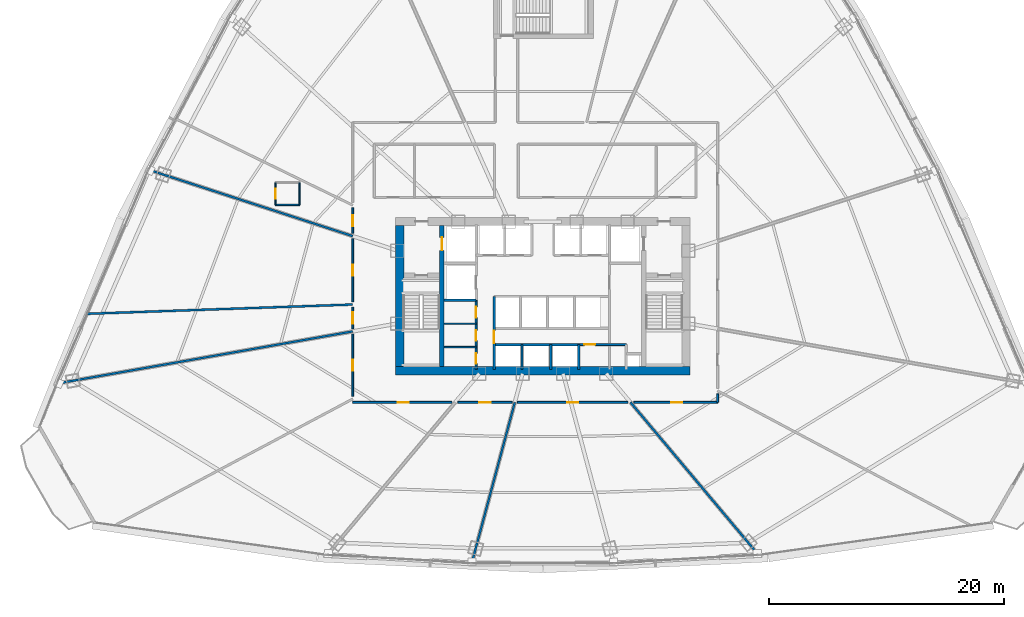
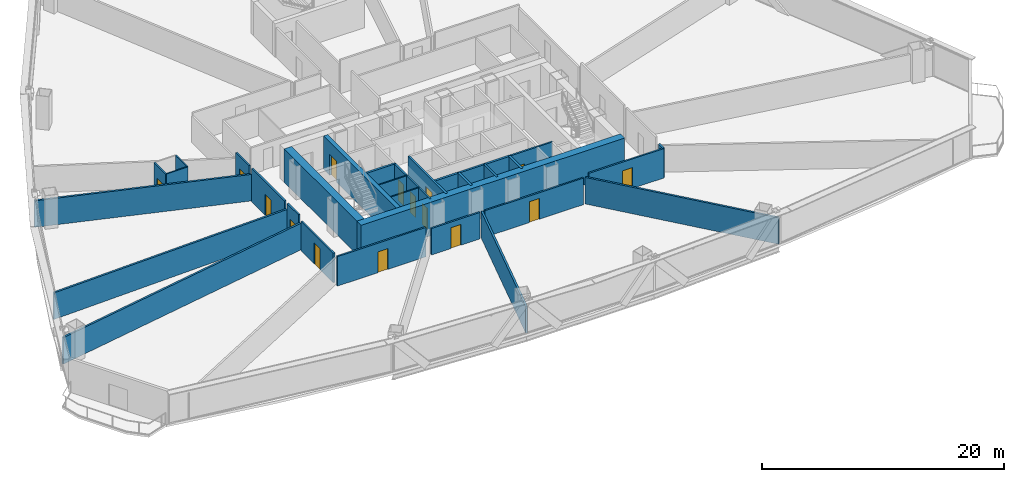
# One storey, part 29 of 37: 30 walls, 15 doors, 15 openings.
"""IFC4 building model written with IfcOpenShell, lengths in metres."""

from ifc_helpers import new_model, si_unit, direction, frame, frame_2d, origin, origin_with_axes, place, context, subcontext, project, spatial, rectangle, extrude, source, transform, mapped, material, layer, layer_set, type_object, element, fill, save


model = new_model("IFC4")

# Units and contexts
model_context = context("Model", 3, precision=1e-05, world=origin(), true_north=direction((0.0, 1.0)))
body_context = subcontext(model_context, "Body", "Model", "MODEL_VIEW")
ifc_project = project(units=[si_unit("LENGTHUNIT", "METRE"), si_unit("AREAUNIT", "SQUARE_METRE"), si_unit("VOLUMEUNIT", "CUBIC_METRE"), si_unit("PLANEANGLEUNIT", "RADIAN"), si_unit("MASSUNIT", "GRAM", prefix="KILO"), si_unit("THERMODYNAMICTEMPERATUREUNIT", "KELVIN"), si_unit("POWERUNIT", "WATT")], contexts=[model_context])

# Site, building, storey
site_placement = place(None, origin())
site = spatial("IfcSite", under=ifc_project, at=site_placement, CompositionType="ELEMENT")
building_placement = place(site_placement, origin())
building = spatial("IfcBuilding", under=site, at=building_placement, Name="Yunzhuo Pagoda Commons", CompositionType="ELEMENT")
storey_placement = place(building_placement, frame((0.0, 0.0, 59.43994140625)))
storey = spatial("IfcBuildingStorey", under=building, at=storey_placement, Name="L15", CompositionType="ELEMENT", Elevation=59.43994140625)

# Walls
ifc_material_1 = material(Name="Concrete C60", Category="concrete")
ifc_layer_1 = layer(ifc_material_1, 0.699951171875)
ifc_layer_set_1 = layer_set([ifc_layer_1], Name="Concrete C60")
wall_type_1 = type_object("IfcWallType", Name="W-C01 Lower Core Shear Wall 700", PredefinedType="SHEAR", material=ifc_layer_set_1)
wall_1_placement = place(storey_placement, frame((35.449951171875, 27.5, 0.0), z_axis=(0.0, 0.0, 1.0), x_axis=(1.0, 0.0, 0.0)))
element("IfcWall", 1, at=wall_1_placement, inside=storey, type_object=wall_type_1, Name="L15 core shear wall S", PredefinedType="SHEAR", context=body_context, shape_type="SweptSolid", body=[
    extrude(rectangle(XDim=25.10009765625, YDim=0.699951171875, at=frame_2d((12.550048828125, 0.0))), origin(), (0.0, 0.0, 1.0), 3.3701171875),
])
wall_2_placement = place(storey_placement, frame((35.800048828125, 27.85009765625, 0.0), z_axis=(0.0, 0.0, 1.0), x_axis=(0.0, 1.0, 0.0)))
element("IfcWall", 2, at=wall_2_placement, inside=storey, type_object=wall_type_1, Name="L15 core shear wall W", PredefinedType="SHEAR", context=body_context, shape_type="SweptSolid", body=[
    extrude(rectangle(XDim=12.0, YDim=0.699951171875, at=frame_2d((6.0, 0.0))), origin(), (0.0, 0.0, 1.0), 3.3701171875),
])

# Wall, openings, doors
ifc_material_2 = material(Name="Gypsum plasterboard on acoustic stud")
ifc_layer_2 = layer(ifc_material_2, 0.159912109375)
ifc_layer_set_2 = layer_set([ifc_layer_2], Name="Gypsum plasterboard on acoustic stud")
wall_type_2 = type_object("IfcWallType", Name="W-COR1 Tower Rated Corridor Wall 160", PredefinedType="PARTITIONING", material=ifc_layer_set_2)
wall_3_placement = place(storey_placement, frame((42.320068359375, 27.60009765625, 0.0), z_axis=(0.0, 0.0, 1.0), x_axis=(0.0, 1.0, 0.0)))
wall_3 = element("IfcWall", 3, at=wall_3_placement, inside=storey, type_object=wall_type_2, Name="L15 interior wall IW-L15-CSWE", PredefinedType="PARTITIONING", context=body_context, shape_type="SweptSolid", body=[
    extrude(rectangle(XDim=5.89990234375, YDim=0.159912109375, at=frame_2d((2.949951171875, 0.0))), origin(), (0.0, 0.0, 1.0), 3.3701171875),
])
opening_1_placement = place(wall_3_placement, frame((0.5, 0.0, 0.0)))
opening_1 = element("IfcOpeningElement", 4, at=opening_1_placement, cuts=wall_3, Name="Opening D-03", PredefinedType="OPENING", context=body_context, shape_type="SweptSolid", body=[
    extrude(rectangle(XDim=0.89990234375, YDim=2.10009765625, at=frame_2d((0.449951171875, 1.050048828125))), frame((0.0, 0.08984375, 0.0), z_axis=(0.0, -1.0, 0.0), x_axis=(1.0, 0.0, 0.0)), (0.0, 0.0, 1.0), 0.179931640625),
])
opening_2_placement = place(wall_3_placement, frame((2.449951171875, 0.0, 0.0)))
opening_2 = element("IfcOpeningElement", 5, at=opening_2_placement, cuts=wall_3, Name="Opening D-03", PredefinedType="OPENING", context=body_context, shape_type="SweptSolid", body=[
    extrude(rectangle(XDim=0.89990234375, YDim=2.10009765625, at=frame_2d((0.449951171875, 1.050048828125))), frame((0.0, 0.08984375, 0.0), z_axis=(0.0, -1.0, 0.0), x_axis=(1.0, 0.0, 0.0)), (0.0, 0.0, 1.0), 0.179931640625),
])
opening_3_placement = place(wall_3_placement, frame((4.419921875, 0.0, 0.0)))
opening_3 = element("IfcOpeningElement", 6, at=opening_3_placement, cuts=wall_3, Name="Opening D-11", PredefinedType="OPENING", context=body_context, shape_type="SweptSolid", body=[
    extrude(rectangle(XDim=0.93994140625, YDim=2.10009765625, at=frame_2d((0.469970703125, 1.050048828125))), frame((0.0, 0.08984375, 0.0), z_axis=(0.0, -1.0, 0.0), x_axis=(1.0, 0.0, 0.0)), (0.0, 0.0, 1.0), 0.179931640625),
])
ifc_material_3 = material(Name="Galvanized fire-resisting metal leaf")
door_type_1 = type_object("IfcDoorType", Name="D-03 Core Service Fire Door 900x2100", OperationType="NOTDEFINED", PredefinedType="DOOR", material=ifc_material_3)
shared_shape_1 = source(origin(), body_context, "Body", "SweptSolid", [
    extrude(rectangle(XDim=0.89990234375, YDim=2.10009765625, at=frame_2d((0.449951171875, 1.050048828125))), frame((0.0, 0.02490234375, 0.0), z_axis=(0.0, -1.0, 0.0), x_axis=(1.0, 0.0, 0.0)), (0.0, 0.0, 1.0), 0.050048828125),
])
door_1_placement = place(opening_1_placement, origin_with_axes())
door_1 = element("IfcDoor", 7, at=door_1_placement, inside=storey, type_object=door_type_1, Name="L15 switch door", OperationType="SINGLE_SWING_RIGHT", OverallHeight=2.10009765625, OverallWidth=0.89990234375, PredefinedType="DOOR", context=body_context, shape_type="MappedRepresentation", body=[
    mapped(shared_shape_1, transform((0.0, 0.0, 0.0), scale=1.0)),
])
fill(opening_1, door_1)
door_2_placement = place(opening_2_placement, origin_with_axes())
door_2 = element("IfcDoor", 8, at=door_2_placement, inside=storey, type_object=door_type_1, Name="L15 cleaner door", OperationType="SINGLE_SWING_RIGHT", OverallHeight=2.10009765625, OverallWidth=0.89990234375, PredefinedType="DOOR", context=body_context, shape_type="MappedRepresentation", body=[
    mapped(shared_shape_1, transform((0.0, 0.0, 0.0), scale=1.0)),
])
fill(opening_2, door_2)
door_type_2 = type_object("IfcDoorType", Name="D-11 Accessible Washroom Fire Door 940x2100", OperationType="NOTDEFINED", PredefinedType="DOOR", material=ifc_material_3)
shared_shape_2 = source(origin(), body_context, "Body", "SweptSolid", [
    extrude(rectangle(XDim=0.93994140625, YDim=2.10009765625, at=frame_2d((0.469970703125, 1.050048828125))), frame((0.0, 0.02490234375, 0.0), z_axis=(0.0, -1.0, 0.0), x_axis=(1.0, 0.0, 0.0)), (0.0, 0.0, 1.0), 0.050048828125),
])
door_3_placement = place(opening_3_placement, origin_with_axes())
door_3 = element("IfcDoor", 9, at=door_3_placement, inside=storey, type_object=door_type_2, Name="L15 core WC door", OperationType="SINGLE_SWING_LEFT", OverallHeight=2.10009765625, OverallWidth=0.93994140625, PredefinedType="DOOR", context=body_context, shape_type="MappedRepresentation", body=[
    mapped(shared_shape_2, transform((0.0, 0.0, 0.0), scale=1.0)),
])
fill(opening_3, door_3)

# Wall, opening, door
wall_4_placement = place(storey_placement, frame((51.050048828125, 29.719970703125, 0.0), z_axis=(0.0, 0.0, 1.0), x_axis=(1.0, 0.0, 0.0)))
wall_4 = element("IfcWall", 10, at=wall_4_placement, inside=storey, type_object=wall_type_2, Name="L15 interior wall IW-L15-CSES", PredefinedType="PARTITIONING", context=body_context, shape_type="SweptSolid", body=[
    extrude(rectangle(XDim=4.070068359375, YDim=0.159912109375, at=frame_2d((2.03515625, 0.0))), origin(), (0.0, 0.0, 1.0), 3.3701171875),
])
opening_4_placement = place(wall_4_placement, frame((0.5, 0.0, 0.0)))
opening_4 = element("IfcOpeningElement", 11, at=opening_4_placement, cuts=wall_4, Name="Opening D-03", PredefinedType="OPENING", context=body_context, shape_type="SweptSolid", body=[
    extrude(rectangle(XDim=0.89990234375, YDim=2.10009765625, at=frame_2d((0.449951171875, 1.050048828125))), frame((0.0, 0.08984375, 0.0), z_axis=(0.0, -1.0, 0.0), x_axis=(1.0, 0.0, 0.0)), (0.0, 0.0, 1.0), 0.179931640625),
])
door_4_placement = place(opening_4_placement, origin_with_axes())
door_4 = element("IfcDoor", 12, at=door_4_placement, inside=storey, type_object=door_type_1, Name="L15 core pantry door", OperationType="SINGLE_SWING_RIGHT", OverallHeight=2.10009765625, OverallWidth=0.89990234375, PredefinedType="DOOR", context=body_context, shape_type="MappedRepresentation", body=[
    mapped(shared_shape_1, transform((0.0, 0.0, 0.0), scale=1.0)),
])
fill(opening_4, door_4)

wall_5_placement = place(storey_placement, frame((31.800048828125, 25.306396484375, 0.0), z_axis=(0.0, 0.0, 1.0), x_axis=(0.0, 1.0, 0.0)))
wall_5 = element("IfcWall", 13, at=wall_5_placement, inside=storey, type_object=wall_type_2, Name="L15 interior wall IW-L15-CWL01", PredefinedType="PARTITIONING", context=body_context, shape_type="SweptSolid", body=[
    extrude(rectangle(XDim=5.313720703125, YDim=0.159912109375, at=frame_2d((2.65673828125, 0.0))), origin(), (0.0, 0.0, 1.0), 2.969970703125),
])
opening_5_placement = place(wall_5_placement, frame((2.18359375, 0.0, 0.0)))
opening_5 = element("IfcOpeningElement", 14, at=opening_5_placement, cuts=wall_5, Name="Opening D-06", PredefinedType="OPENING", context=body_context, shape_type="SweptSolid", body=[
    extrude(rectangle(XDim=0.949951171875, YDim=2.10009765625, at=frame_2d((0.47509765625, 1.050048828125))), frame((0.0, 0.08984375, 0.0), z_axis=(0.0, -1.0, 0.0), x_axis=(1.0, 0.0, 0.0)), (0.0, 0.0, 1.0), 0.179931640625),
])
door_type_3 = type_object("IfcDoorType", Name="D-06 Co-Living Suite Entrance Fire Door 950x2100", OperationType="NOTDEFINED", PredefinedType="DOOR", material=ifc_material_3)
shared_shape_3 = source(origin(), body_context, "Body", "SweptSolid", [
    extrude(rectangle(XDim=0.949951171875, YDim=2.10009765625, at=frame_2d((0.47509765625, 1.050048828125))), frame((0.0, 0.02490234375, 0.0), z_axis=(0.0, -1.0, 0.0), x_axis=(1.0, 0.0, 0.0)), (0.0, 0.0, 1.0), 0.050048828125),
])
door_5_placement = place(opening_5_placement, origin_with_axes())
door_5 = element("IfcDoor", 15, at=door_5_placement, inside=storey, type_object=door_type_3, Name="L15 unit 09 entrance door", OperationType="SINGLE_SWING_LEFT", OverallHeight=2.10009765625, OverallWidth=0.949951171875, PredefinedType="DOOR", context=body_context, shape_type="MappedRepresentation", body=[
    mapped(shared_shape_3, transform((0.0, 0.0, 0.0), scale=1.0)),
])
fill(opening_5, door_5)

wall_6_placement = place(storey_placement, frame((31.800048828125, 31.063232421875, 0.0), z_axis=(0.0, 0.0, 1.0), x_axis=(0.0, 1.0, 0.0)))
wall_6 = element("IfcWall", 16, at=wall_6_placement, inside=storey, type_object=wall_type_2, Name="L15 interior wall IW-L15-CWL02", PredefinedType="PARTITIONING", context=body_context, shape_type="SweptSolid", body=[
    extrude(rectangle(XDim=1.85107421875, YDim=0.159912109375, at=frame_2d((0.925537109375, 0.0))), origin(), (0.0, 0.0, 1.0), 3.3701171875),
])
opening_6_placement = place(wall_6_placement, frame((0.45068359375, 0.0, 0.0)))
opening_6 = element("IfcOpeningElement", 17, at=opening_6_placement, cuts=wall_6, Name="Opening D-06", PredefinedType="OPENING", context=body_context, shape_type="SweptSolid", body=[
    extrude(rectangle(XDim=0.949951171875, YDim=2.10009765625, at=frame_2d((0.47509765625, 1.050048828125))), frame((0.0, 0.08984375, 0.0), z_axis=(0.0, -1.0, 0.0), x_axis=(1.0, 0.0, 0.0)), (0.0, 0.0, 1.0), 0.179931640625),
])
door_6_placement = place(opening_6_placement, origin_with_axes())
door_6 = element("IfcDoor", 18, at=door_6_placement, inside=storey, type_object=door_type_3, Name="L15 unit 08 entrance door", OperationType="SINGLE_SWING_RIGHT", OverallHeight=2.10009765625, OverallWidth=0.949951171875, PredefinedType="DOOR", context=body_context, shape_type="MappedRepresentation", body=[
    mapped(shared_shape_3, transform((0.0, 0.0, 0.0), scale=1.0)),
])
fill(opening_6, door_6)

wall_7_placement = place(storey_placement, frame((31.800048828125, 33.35400390625, 0.0), z_axis=(0.0, 0.0, 1.0), x_axis=(0.0, 1.0, 0.0)))
wall_7 = element("IfcWall", 19, at=wall_7_placement, inside=storey, type_object=wall_type_2, Name="L15 interior wall IW-L15-CWL03", PredefinedType="PARTITIONING", context=body_context, shape_type="SweptSolid", body=[
    extrude(rectangle(XDim=5.389892578125, YDim=0.159912109375, at=frame_2d((2.69482421875, 0.0))), origin(), (0.0, 0.0, 1.0), 3.3701171875),
])
opening_7_placement = place(wall_7_placement, frame((2.219970703125, 0.0, 0.0)))
opening_7 = element("IfcOpeningElement", 20, at=opening_7_placement, cuts=wall_7, Name="Opening D-06", PredefinedType="OPENING", context=body_context, shape_type="SweptSolid", body=[
    extrude(rectangle(XDim=0.949951171875, YDim=2.10009765625, at=frame_2d((0.47509765625, 1.050048828125))), frame((0.0, 0.08984375, 0.0), z_axis=(0.0, -1.0, 0.0), x_axis=(1.0, 0.0, 0.0)), (0.0, 0.0, 1.0), 0.179931640625),
])
door_7_placement = place(opening_7_placement, origin_with_axes())
door_7 = element("IfcDoor", 21, at=door_7_placement, inside=storey, type_object=door_type_3, Name="L15 unit 07 entrance door", OperationType="SINGLE_SWING_LEFT", OverallHeight=2.10009765625, OverallWidth=0.949951171875, PredefinedType="DOOR", context=body_context, shape_type="MappedRepresentation", body=[
    mapped(shared_shape_3, transform((0.0, 0.0, 0.0), scale=1.0)),
])
fill(opening_7, door_7)

wall_8_placement = place(storey_placement, frame((31.800048828125, 39.195068359375, 0.0), z_axis=(0.0, 0.0, 1.0), x_axis=(0.0, 1.0, 0.0)))
wall_8 = element("IfcWall", 22, at=wall_8_placement, inside=storey, type_object=wall_type_2, Name="L15 interior wall IW-L15-CWL04", PredefinedType="PARTITIONING", context=body_context, shape_type="SweptSolid", body=[
    extrude(rectangle(XDim=2.1865234375, YDim=0.159912109375, at=frame_2d((1.09326171875, 0.0))), origin(), (0.0, 0.0, 1.0), 3.3701171875),
])
opening_8_placement = place(wall_8_placement, frame((0.612548828125, 0.0, 0.0)))
opening_8 = element("IfcOpeningElement", 23, at=opening_8_placement, cuts=wall_8, Name="Opening D-06", PredefinedType="OPENING", context=body_context, shape_type="SweptSolid", body=[
    extrude(rectangle(XDim=0.949951171875, YDim=2.10009765625, at=frame_2d((0.47509765625, 1.050048828125))), frame((0.0, 0.08984375, 0.0), z_axis=(0.0, -1.0, 0.0), x_axis=(1.0, 0.0, 0.0)), (0.0, 0.0, 1.0), 0.179931640625),
])
door_8_placement = place(opening_8_placement, origin_with_axes())
door_8 = element("IfcDoor", 24, at=door_8_placement, inside=storey, type_object=door_type_3, Name="L15 unit 06 entrance door", OperationType="SINGLE_SWING_RIGHT", OverallHeight=2.10009765625, OverallWidth=0.949951171875, PredefinedType="DOOR", context=body_context, shape_type="MappedRepresentation", body=[
    mapped(shared_shape_3, transform((0.0, 0.0, 0.0), scale=1.0)),
])
fill(opening_8, door_8)

# Wall
wall_9_placement = place(storey_placement, frame((62.89990234375, 25.5283203125, 0.0), z_axis=(0.0, 0.0, 1.0), x_axis=(0.0, -1.0, 0.0)))
element("IfcWall", 25, at=wall_9_placement, inside=storey, type_object=wall_type_2, Name="L15 interior wall IW-L15-CWL16", PredefinedType="PARTITIONING", context=body_context, shape_type="SweptSolid", body=[
    extrude(rectangle(XDim=0.728271484375, YDim=0.159912109375, at=frame_2d((0.3642578125, 0.0))), origin(), (0.0, 0.0, 1.0), 2.969970703125),
])

# Wall, opening, door
wall_10_placement = place(storey_placement, frame((62.89990234375, 24.800048828125, 0.0), z_axis=(0.0, 0.0, 1.0), x_axis=(-1.0, 0.0, 0.0)))
wall_10 = element("IfcWall", 26, at=wall_10_placement, inside=storey, type_object=wall_type_2, Name="L15 interior wall IW-L15-CWL17", PredefinedType="PARTITIONING", context=body_context, shape_type="SweptSolid", body=[
    extrude(rectangle(XDim=7.144775390625, YDim=0.159912109375, at=frame_2d((3.572265625, 0.0))), origin(), (0.0, 0.0, 1.0), 2.969970703125),
])
opening_9_placement = place(wall_10_placement, frame((3.010986328125, 0.0, 0.0)))
opening_9 = element("IfcOpeningElement", 27, at=opening_9_placement, cuts=wall_10, Name="Opening D-06", PredefinedType="OPENING", context=body_context, shape_type="SweptSolid", body=[
    extrude(rectangle(XDim=0.949951171875, YDim=2.10009765625, at=frame_2d((0.47509765625, 1.050048828125))), frame((0.0, 0.08984375, 0.0), z_axis=(0.0, -1.0, 0.0), x_axis=(1.0, 0.0, 0.0)), (0.0, 0.0, 1.0), 0.179931640625),
])
door_9_placement = place(opening_9_placement, origin_with_axes())
door_9 = element("IfcDoor", 28, at=door_9_placement, inside=storey, type_object=door_type_3, Name="L15 unit 13 entrance door", OperationType="SINGLE_SWING_LEFT", OverallHeight=2.10009765625, OverallWidth=0.949951171875, PredefinedType="DOOR", context=body_context, shape_type="MappedRepresentation", body=[
    mapped(shared_shape_3, transform((0.0, 0.0, 0.0), scale=1.0)),
])
fill(opening_9, door_9)

wall_11_placement = place(storey_placement, frame((55.248046875, 24.800048828125, 0.0), z_axis=(0.0, 0.0, 1.0), x_axis=(-1.0, 0.0, 0.0)))
wall_11 = element("IfcWall", 29, at=wall_11_placement, inside=storey, type_object=wall_type_2, Name="L15 interior wall IW-L15-CWL18", PredefinedType="PARTITIONING", context=body_context, shape_type="SweptSolid", body=[
    extrude(rectangle(XDim=9.412841796875, YDim=0.159912109375, at=frame_2d((4.70654296875, 0.0))), origin(), (0.0, 0.0, 1.0), 2.670166015625),
])
opening_10_placement = place(wall_11_placement, frame((4.2314453125, 0.0, 0.0)))
opening_10 = element("IfcOpeningElement", 30, at=opening_10_placement, cuts=wall_11, Name="Opening D-06", PredefinedType="OPENING", context=body_context, shape_type="SweptSolid", body=[
    extrude(rectangle(XDim=0.949951171875, YDim=2.10009765625, at=frame_2d((0.47509765625, 1.050048828125))), frame((0.0, 0.08984375, 0.0), z_axis=(0.0, -1.0, 0.0), x_axis=(1.0, 0.0, 0.0)), (0.0, 0.0, 1.0), 0.179931640625),
])
door_10_placement = place(opening_10_placement, origin_with_axes())
door_10 = element("IfcDoor", 31, at=door_10_placement, inside=storey, type_object=door_type_3, Name="L15 Academic Reading Commons 2 door", OperationType="SINGLE_SWING_RIGHT", OverallHeight=2.10009765625, OverallWidth=0.949951171875, PredefinedType="DOOR", context=body_context, shape_type="MappedRepresentation", body=[
    mapped(shared_shape_3, transform((0.0, 0.0, 0.0), scale=1.0)),
])
fill(opening_10, door_10)

wall_12_placement = place(storey_placement, frame((45.387451171875, 24.800048828125, 0.0), z_axis=(0.0, 0.0, 1.0), x_axis=(-1.0, 0.0, 0.0)))
wall_12 = element("IfcWall", 32, at=wall_12_placement, inside=storey, type_object=wall_type_2, Name="L15 interior wall IW-L15-CWL19", PredefinedType="PARTITIONING", context=body_context, shape_type="SweptSolid", body=[
    extrude(rectangle(XDim=4.635498046875, YDim=0.159912109375, at=frame_2d((2.31787109375, 0.0))), origin(), (0.0, 0.0, 1.0), 2.670166015625),
])
opening_11_placement = place(wall_12_placement, frame((1.8388671875, 0.0, 0.0)))
opening_11 = element("IfcOpeningElement", 33, at=opening_11_placement, cuts=wall_12, Name="Opening D-06", PredefinedType="OPENING", context=body_context, shape_type="SweptSolid", body=[
    extrude(rectangle(XDim=0.949951171875, YDim=2.10009765625, at=frame_2d((0.47509765625, 1.050048828125))), frame((0.0, 0.08984375, 0.0), z_axis=(0.0, -1.0, 0.0), x_axis=(1.0, 0.0, 0.0)), (0.0, 0.0, 1.0), 0.179931640625),
])
door_11_placement = place(opening_11_placement, origin_with_axes())
door_11 = element("IfcDoor", 34, at=door_11_placement, inside=storey, type_object=door_type_3, Name="L15 unit 11 entrance door", OperationType="SINGLE_SWING_LEFT", OverallHeight=2.10009765625, OverallWidth=0.949951171875, PredefinedType="DOOR", context=body_context, shape_type="MappedRepresentation", body=[
    mapped(shared_shape_3, transform((0.0, 0.0, 0.0), scale=1.0)),
])
fill(opening_11, door_11)

wall_13_placement = place(storey_placement, frame((40.244873046875, 24.800048828125, 0.0), z_axis=(0.0, 0.0, 1.0), x_axis=(-1.0, 0.0, 0.0)))
wall_13 = element("IfcWall", 35, at=wall_13_placement, inside=storey, type_object=wall_type_2, Name="L15 interior wall IW-L15-CWL20", PredefinedType="PARTITIONING", context=body_context, shape_type="SweptSolid", body=[
    extrude(rectangle(XDim=8.44482421875, YDim=0.159912109375, at=frame_2d((4.222412109375, 0.0))), origin(), (0.0, 0.0, 1.0), 2.969970703125),
])
opening_12_placement = place(wall_13_placement, frame((3.654052734375, 0.0, 0.0)))
opening_12 = element("IfcOpeningElement", 36, at=opening_12_placement, cuts=wall_13, Name="Opening D-06", PredefinedType="OPENING", context=body_context, shape_type="SweptSolid", body=[
    extrude(rectangle(XDim=0.949951171875, YDim=2.10009765625, at=frame_2d((0.47509765625, 1.050048828125))), frame((0.0, 0.08984375, 0.0), z_axis=(0.0, -1.0, 0.0), x_axis=(1.0, 0.0, 0.0)), (0.0, 0.0, 1.0), 0.179931640625),
])
door_12_placement = place(opening_12_placement, origin_with_axes())
door_12 = element("IfcDoor", 37, at=door_12_placement, inside=storey, type_object=door_type_3, Name="L15 unit 10 entrance door", OperationType="SINGLE_SWING_RIGHT", OverallHeight=2.10009765625, OverallWidth=0.949951171875, PredefinedType="DOOR", context=body_context, shape_type="MappedRepresentation", body=[
    mapped(shared_shape_3, transform((0.0, 0.0, 0.0), scale=1.0)),
])
fill(opening_12, door_12)

# Walls
ifc_layer_3 = layer(ifc_material_2, 0.1201171875)
ifc_layer_set_3 = layer_set([ifc_layer_3], Name="Gypsum plasterboard on acoustic stud")
wall_type_3 = type_object("IfcWallType", Name="W-PRT1 Suite & Bathroom Partition 120", PredefinedType="PARTITIONING", material=ifc_layer_set_3)
for number, where, z_axis, x_axis, name in (
    (38, (39.60009765625, 29.5, 0.0), (0.0, 0.0, 1.0), (1.0, 0.0, 0.0), "L15 interior wall IW-L15-CC1"),
    (39, (39.60009765625, 31.5, 0.0), (0.0, 0.0, 1.0), (1.0, 0.0, 0.0), "L15 interior wall IW-L15-CC2"),
):
    element("IfcWall", number, at=place(storey_placement, frame(where, z_axis=z_axis, x_axis=x_axis)), inside=storey, type_object=wall_type_3, Name=name, PredefinedType="PARTITIONING", context=body_context, shape_type="SweptSolid", body=[
        extrude(rectangle(XDim=2.719970703125, YDim=0.1201171875, at=frame_2d((1.35986328125, 0.0))), origin(), (0.0, 0.0, 1.0), 3.3701171875),
    ])
wall_14_placement = place(storey_placement, frame((25.218017578125, 41.631103515625, 0.0), z_axis=(0.0, 0.0, 1.0), x_axis=(1.0, 0.0, 0.0)))
element("IfcWall", 40, at=wall_14_placement, inside=storey, type_object=wall_type_3, Name="L15 interior wall IW-L15-B06S", PredefinedType="PARTITIONING", context=body_context, shape_type="SweptSolid", body=[
    extrude(rectangle(XDim=2.050048828125, YDim=0.1201171875, at=frame_2d((1.02490234375, 0.0))), origin(), (0.0, 0.0, 1.0), 3.3701171875),
])
wall_15_placement = place(storey_placement, frame((27.26806640625, 41.631103515625, 0.0), z_axis=(0.0, 0.0, 1.0), x_axis=(0.0, 1.0, 0.0)))
element("IfcWall", 41, at=wall_15_placement, inside=storey, type_object=wall_type_3, Name="L15 interior wall IW-L15-B06E", PredefinedType="PARTITIONING", context=body_context, shape_type="SweptSolid", body=[
    extrude(rectangle(XDim=1.89990234375, YDim=0.1201171875, at=frame_2d((0.949951171875, 0.0))), origin(), (0.0, 0.0, 1.0), 3.3701171875),
])

# Wall, opening, door
wall_16_placement = place(storey_placement, frame((25.218017578125, 43.531005859375, 0.0), z_axis=(0.0, 0.0, 1.0), x_axis=(0.0, -1.0, 0.0)))
wall_16 = element("IfcWall", 42, at=wall_16_placement, inside=storey, type_object=wall_type_3, Name="L15 interior wall IW-L15-B06W", PredefinedType="PARTITIONING", context=body_context, shape_type="SweptSolid", body=[
    extrude(rectangle(XDim=1.89990234375, YDim=0.1201171875, at=frame_2d((0.949951171875, 0.0))), origin(), (0.0, 0.0, 1.0), 3.3701171875),
])
opening_13_placement = place(wall_16_placement, frame((0.52490234375, 0.0, 0.0)))
opening_13 = element("IfcOpeningElement", 43, at=opening_13_placement, cuts=wall_16, Name="Opening D-05", PredefinedType="OPENING", context=body_context, shape_type="SweptSolid", body=[
    extrude(rectangle(XDim=0.85009765625, YDim=2.10009765625, at=frame_2d((0.425048828125, 1.050048828125))), frame((0.0, 0.070068359375, 0.0), z_axis=(0.0, -1.0, 0.0), x_axis=(1.0, 0.0, 0.0)), (0.0, 0.0, 1.0), 0.14013671875),
])
ifc_material_4 = material(Name="Powder-coated aluminium and timber acoustic leaf", Category="wood")
door_type_4 = type_object("IfcDoorType", Name="D-05 En-Suite Bathroom Door 850x2100", OperationType="NOTDEFINED", PredefinedType="DOOR", material=ifc_material_4)
shared_shape_4 = source(origin(), body_context, "Body", "SweptSolid", [
    extrude(rectangle(XDim=0.85009765625, YDim=2.10009765625, at=frame_2d((0.425048828125, 1.050048828125))), frame((0.0, 0.02490234375, 0.0), z_axis=(0.0, -1.0, 0.0), x_axis=(1.0, 0.0, 0.0)), (0.0, 0.0, 1.0), 0.050048828125),
])
door_13_placement = place(opening_13_placement, frame((0.85009765625, 0.0, 0.0), z_axis=(0.0, 0.0, 1.0), x_axis=(-1.0, 0.0, 0.0)))
door_13 = element("IfcDoor", 44, at=door_13_placement, inside=storey, type_object=door_type_4, Name="L15 unit 06 bathroom door", OperationType="SINGLE_SWING_RIGHT", OverallHeight=2.10009765625, OverallWidth=0.85009765625, PredefinedType="DOOR", context=body_context, shape_type="MappedRepresentation", body=[
    mapped(shared_shape_4, transform((0.0, 0.0, 0.0), scale=1.0)),
])
fill(opening_13, door_13)

# Walls
ifc_layer_4 = layer(ifc_material_2, 0.179931640625)
ifc_layer_set_4 = layer_set([ifc_layer_4], Name="Gypsum plasterboard on acoustic stud")
wall_type_4 = type_object("IfcWallType", Name="W-PRT2 Acoustic Unit Demising Wall 180", PredefinedType="PARTITIONING", material=ifc_layer_set_4)
wall_17_placement = place(storey_placement, frame((31.800048828125, 38.963623046875, 0.0), z_axis=(0.0, 0.0, 1.0), x_axis=(-0.951052304058, 0.309029958006, 0.0)))
element("IfcWall", 45, at=wall_17_placement, inside=storey, type_object=wall_type_4, Name="L15 interior wall IW-L15-RAD06", PredefinedType="PARTITIONING", context=body_context, shape_type="SweptSolid", body=[
    extrude(rectangle(XDim=18.298583984375, YDim=0.179931640625, at=frame_2d((9.1494140625, 0.0))), origin(), (0.0, 0.0, 1.0), 2.670166015625),
])
wall_18_placement = place(storey_placement, frame((31.800048828125, 33.13427734375, 0.0), z_axis=(0.0, 0.0, 1.0), x_axis=(-0.999390651746, -0.034904515515, 0.0)))
element("IfcWall", 46, at=wall_18_placement, inside=storey, type_object=wall_type_4, Name="L15 interior wall IW-L15-RAD07", PredefinedType="PARTITIONING", context=body_context, shape_type="SweptSolid", body=[
    extrude(rectangle(XDim=22.683349609375, YDim=0.179931640625, at=frame_2d((11.341796875, 0.0))), origin(), (0.0, 0.0, 1.0), 2.670166015625),
])
wall_19_placement = place(storey_placement, frame((31.800048828125, 30.843505859375, 0.0), z_axis=(0.0, 0.0, 1.0), x_axis=(-0.984808213418, -0.173645566555, 0.0)))
element("IfcWall", 47, at=wall_19_placement, inside=storey, type_object=wall_type_4, Name="L15 interior wall IW-L15-RAD08", PredefinedType="PARTITIONING", context=body_context, shape_type="SweptSolid", body=[
    extrude(rectangle(XDim=25.60986328125, YDim=0.179931640625, at=frame_2d((12.804931640625, 0.0))), origin(), (0.0, 0.0, 1.0), 2.670166015625),
])
wall_20_placement = place(storey_placement, frame((45.615234375, 24.800048828125, 0.0), z_axis=(0.0, 0.0, 1.0), x_axis=(-0.258821679731, -0.965925120339, 0.0)))
element("IfcWall", 48, at=wall_20_placement, inside=storey, type_object=wall_type_4, Name="L15 interior wall IW-L15-RAD11", PredefinedType="PARTITIONING", context=body_context, shape_type="SweptSolid", body=[
    extrude(rectangle(XDim=14.20947265625, YDim=0.179931640625, at=frame_2d((7.104736328125, 0.0))), origin(), (0.0, 0.0, 1.0), 2.670166015625),
])
wall_21_placement = place(storey_placement, frame((55.468017578125, 24.800048828125, 0.0), z_axis=(0.0, 0.0, 1.0), x_axis=(0.642791593325, -0.766041100432, 0.0)))
element("IfcWall", 49, at=wall_21_placement, inside=storey, type_object=wall_type_4, Name="L15 interior wall IW-L15-RAD12", PredefinedType="PARTITIONING", context=body_context, shape_type="SweptSolid", body=[
    extrude(rectangle(XDim=16.98779296875, YDim=0.179931640625, at=frame_2d((8.493896484375, 0.0))), origin(), (0.0, 0.0, 1.0), 2.670166015625),
])

# Wall, opening, door
ifc_layer_5 = layer(ifc_material_1, 0.39990234375)
ifc_layer_set_5 = layer_set([ifc_layer_5], Name="Concrete C60")
wall_type_5 = type_object("IfcWallType", Name="W-S01 Internal Core Shear Web 400", PredefinedType="SHEAR", material=ifc_layer_set_5)
wall_22_placement = place(storey_placement, frame((39.39990234375, 27.85009765625, 0.0), z_axis=(0.0, 0.0, 1.0), x_axis=(0.0, 1.0, 0.0)))
wall_22 = element("IfcWall", 50, at=wall_22_placement, inside=storey, type_object=wall_type_5, Name="L15 core shear wall WEBW", PredefinedType="SHEAR", context=body_context, shape_type="SweptSolid", body=[
    extrude(rectangle(XDim=12.0, YDim=0.39990234375, at=frame_2d((6.0, 0.0))), origin(), (0.0, 0.0, 1.0), 3.3701171875),
])
opening_14_placement = place(wall_22_placement, frame((9.89990234375, 0.0, 0.0)))
opening_14 = element("IfcOpeningElement", 51, at=opening_14_placement, cuts=wall_22, Name="Opening LD-01", PredefinedType="OPENING", context=body_context, shape_type="SweptSolid", body=[
    extrude(rectangle(XDim=1.10009765625, YDim=2.10009765625, at=frame_2d((0.550048828125, 1.050048828125))), frame((0.0, 0.2099609375, 0.0), z_axis=(0.0, -1.0, 0.0), x_axis=(1.0, 0.0, 0.0)), (0.0, 0.0, 1.0), 0.419921875),
])
door_type_5 = type_object("IfcDoorType", Name="LD-01 Firefighting Lift Landing Door 1100x2100", OperationType="DOUBLE_DOOR_SLIDING", PredefinedType="DOOR", material=ifc_material_3)
shared_shape_5 = source(origin(), body_context, "Body", "SweptSolid", [
    extrude(rectangle(XDim=1.10009765625, YDim=2.10009765625, at=frame_2d((0.550048828125, 1.050048828125))), frame((0.0, 0.02490234375, 0.0), z_axis=(0.0, -1.0, 0.0), x_axis=(1.0, 0.0, 0.0)), (0.0, 0.0, 1.0), 0.050048828125),
])
door_14_placement = place(opening_14_placement, frame((1.10009765625, 0.0, 0.0), z_axis=(0.0, 0.0, 1.0), x_axis=(-1.0, 0.0, 0.0)))
door_14 = element("IfcDoor", 52, at=door_14_placement, inside=storey, type_object=door_type_5, Name="L15 Firefighting lift FL-1 landing door", OperationType="DOUBLE_DOOR_SLIDING", OverallHeight=2.10009765625, OverallWidth=1.10009765625, PredefinedType="DOOR", context=body_context, shape_type="MappedRepresentation", body=[
    mapped(shared_shape_5, transform((0.0, 0.0, 0.0), scale=1.0)),
])
fill(opening_14, door_14)

# Wall
ifc_material_5 = material(Name="Concrete C40", Category="concrete")
ifc_layer_6 = layer(ifc_material_5, 0.199951171875)
ifc_layer_set_6 = layer_set([ifc_layer_6], Name="Concrete C40")
wall_type_6 = type_object("IfcWallType", Name="W-SHF Shaft & Stair Enclosure Wall 200", PredefinedType="SOLIDWALL", material=ifc_layer_set_6)
wall_23_placement = place(storey_placement, frame((39.60009765625, 33.5, 0.0), z_axis=(0.0, 0.0, 1.0), x_axis=(1.0, 0.0, 0.0)))
element("IfcWall", 53, at=wall_23_placement, inside=storey, type_object=wall_type_6, Name="L15 interior wall IW-L15-SL1S", PredefinedType="SOLIDWALL", context=body_context, shape_type="SweptSolid", body=[
    extrude(rectangle(XDim=2.719970703125, YDim=0.199951171875, at=frame_2d((1.35986328125, 0.0))), origin(), (0.0, 0.0, 1.0), 3.3701171875),
])

# Wall, opening, door
wall_24_placement = place(storey_placement, frame((43.85009765625, 27.60009765625, 0.0), z_axis=(0.0, 0.0, 1.0), x_axis=(0.0, 1.0, 0.0)))
wall_24 = element("IfcWall", 54, at=wall_24_placement, inside=storey, type_object=wall_type_6, Name="L15 interior wall IW-L15-PLMW", PredefinedType="SOLIDWALL", context=body_context, shape_type="SweptSolid", body=[
    extrude(rectangle(XDim=6.219970703125, YDim=0.199951171875, at=frame_2d((3.10986328125, 0.0))), origin(), (0.0, 0.0, 1.0), 3.3701171875),
])
opening_15_placement = place(wall_24_placement, frame((2.25, 0.0, 0.0)))
opening_15 = element("IfcOpeningElement", 55, at=opening_15_placement, cuts=wall_24, Name="Opening D-02", PredefinedType="OPENING", context=body_context, shape_type="SweptSolid", body=[
    extrude(rectangle(XDim=1.050048828125, YDim=2.10009765625, at=frame_2d((0.52490234375, 1.050048828125))), frame((0.0, 0.10986328125, 0.0), z_axis=(0.0, -1.0, 0.0), x_axis=(1.0, 0.0, 0.0)), (0.0, 0.0, 1.0), 0.219970703125),
])
door_type_6 = type_object("IfcDoorType", Name="D-02 Firefighting Lobby & Refuge Fire Door 1050x2100", OperationType="NOTDEFINED", PredefinedType="DOOR", material=ifc_material_3)
shared_shape_6 = source(origin(), body_context, "Body", "SweptSolid", [
    extrude(rectangle(XDim=1.050048828125, YDim=2.10009765625, at=frame_2d((0.52490234375, 1.050048828125))), frame((0.0, 0.02490234375, 0.0), z_axis=(0.0, -1.0, 0.0), x_axis=(1.0, 0.0, 0.0)), (0.0, 0.0, 1.0), 0.050048828125),
])
door_15_placement = place(opening_15_placement, frame((1.050048828125, 0.0, 0.0), z_axis=(0.0, 0.0, 1.0), x_axis=(-1.0, 0.0, 0.0)))
door_15 = element("IfcDoor", 56, at=door_15_placement, inside=storey, type_object=door_type_6, Name="L15 High-bank hall west door", OperationType="SINGLE_SWING_LEFT", OverallHeight=2.10009765625, OverallWidth=1.050048828125, PredefinedType="DOOR", context=body_context, shape_type="MappedRepresentation", body=[
    mapped(shared_shape_6, transform((0.0, 0.0, 0.0), scale=1.0)),
])
fill(opening_15, door_15)

# Walls
wall_25_placement = place(storey_placement, frame((43.85009765625, 29.719970703125, 0.0), z_axis=(0.0, 0.0, 1.0), x_axis=(1.0, 0.0, 0.0)))
element("IfcWall", 57, at=wall_25_placement, inside=storey, type_object=wall_type_6, Name="L15 interior wall IW-L15-PLHN", PredefinedType="SOLIDWALL", context=body_context, shape_type="SweptSolid", body=[
    extrude(rectangle(XDim=7.199951171875, YDim=0.199951171875, at=frame_2d((3.60009765625, 0.0))), origin(), (0.0, 0.0, 1.0), 3.3701171875),
])
for number, where, z_axis, x_axis, name in (
    (58, (51.050048828125, 27.60009765625, 0.0), (0.0, 0.0, 1.0), (0.0, 1.0, 0.0), "L15 interior wall IW-L15-PLHE"),
    (59, (46.22509765625, 27.60009765625, 0.0), (0.0, 0.0, 1.0), (0.0, 1.0, 0.0), "L15 interior wall IW-L15-PLHD1"),
    (60, (48.675048828125, 27.60009765625, 0.0), (0.0, 0.0, 1.0), (0.0, 1.0, 0.0), "L15 interior wall IW-L15-PLHD2"),
):
    element("IfcWall", number, at=place(storey_placement, frame(where, z_axis=z_axis, x_axis=x_axis)), inside=storey, type_object=wall_type_6, Name=name, PredefinedType="SOLIDWALL", context=body_context, shape_type="SweptSolid", body=[
        extrude(rectangle(XDim=2.119873046875, YDim=0.199951171875, at=frame_2d((1.06005859375, 0.0))), origin(), (0.0, 0.0, 1.0), 3.3701171875),
    ])

save(model, "model.ifc")
